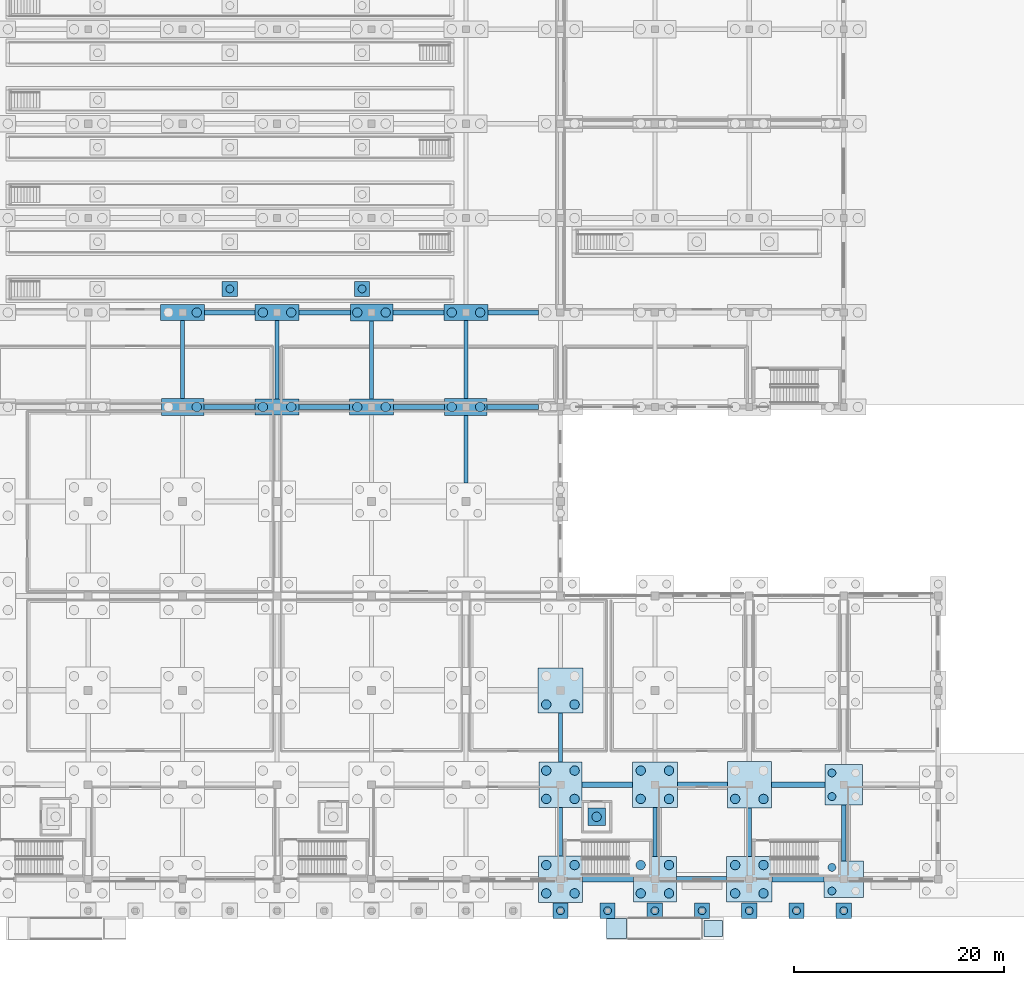
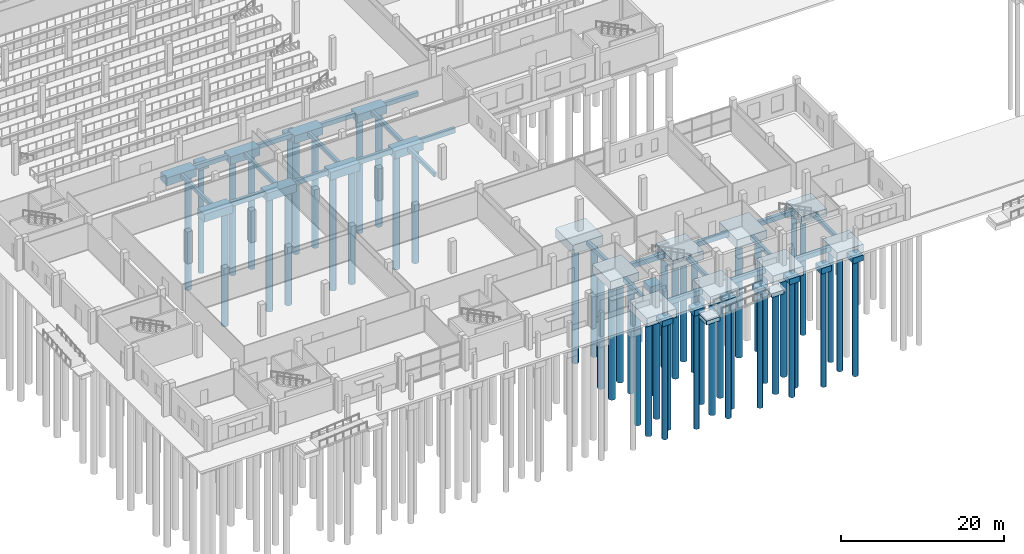
# One storey, part 4 of 112: 53 footings, 52 piles.
"""IFC4 building model written with IfcOpenShell, lengths in metres."""

from ifc_helpers import new_model, si_unit, direction, frame, origin, origin_2d, place, context, subcontext, project, spatial, polyline, rectangle, circle, outline, extrude, material, material_profile, profile_set, type_object, element, save


model = new_model("IFC4")

# Units and contexts
model_context = context("Model", 3, precision=1e-05, world=origin(), true_north=direction((0.0, 1.0)))
body_context = subcontext(model_context, "Body", "Model", "MODEL_VIEW")
ifc_project = project(units=[si_unit("LENGTHUNIT", "METRE"), si_unit("AREAUNIT", "SQUARE_METRE"), si_unit("VOLUMEUNIT", "CUBIC_METRE"), si_unit("PLANEANGLEUNIT", "RADIAN"), si_unit("MASSUNIT", "GRAM", prefix="KILO")], contexts=[model_context])

# Site, building, storey
site_placement = place(None, origin())
site = spatial("IfcSite", under=ifc_project, at=site_placement, CompositionType="ELEMENT")
building_placement = place(site_placement, origin())
building = spatial("IfcBuilding", under=site, at=building_placement, Name="Tharagai Park Tramway Depot", CompositionType="ELEMENT")
storey_placement = place(building_placement, origin())
storey = spatial("IfcBuildingStorey", under=building, at=storey_placement, Name="L00", CompositionType="ELEMENT", Elevation=0.0)

# Piles
ifc_material = material(Name="Concrete M40", Category="concrete")
ifc_material_profile_1 = material_profile(ifc_material, circle(Radius=0.449951171875, at=origin_2d()), Name="PILE D900")
ifc_profile_set_1 = profile_set([ifc_material_profile_1], Name="Concrete M40")
pile_type_1 = type_object("IfcPileType", Name="BP-01", PredefinedType="BORED", material=ifc_profile_set_1)
pile_1_placement = place(storey_placement, frame((28.35009765625, 45.0, -1.3798828125), z_axis=(0.0, 0.0, -1.0), x_axis=(1.0, 0.0, 0.0)))
element("IfcPile", 1, at=pile_1_placement, inside=storey, type_object=pile_type_1, Name="Bored Pile BP-01 (27,45) #2", PredefinedType="BORED", context=body_context, shape_type="SweptSolid", body=[
    extrude(circle(Radius=0.449951171875, at=origin_2d()), origin(), (0.0, 0.0, 1.0), 17.1201171875),
])
for number, where, z_axis, x_axis, name in (
    (2, (28.35009765625, 54.0, -1.39990234375), (0.0, 0.0, -1.0), (1.0, 0.0, 0.0), "Bored Pile BP-01 (27,54) #2"),
    (3, (34.64990234375, 45.0, -1.39990234375), (0.0, 0.0, -1.0), (1.0, 0.0, 0.0), "Bored Pile BP-01 (36,45) #1"),
    (4, (37.35009765625, 45.0, -1.39990234375), (0.0, 0.0, -1.0), (1.0, 0.0, 0.0), "Bored Pile BP-01 (36,45) #2"),
    (5, (34.64990234375, 54.0, -1.39990234375), (0.0, 0.0, -1.0), (1.0, 0.0, 0.0), "Bored Pile BP-01 (36,54) #1"),
    (6, (37.35009765625, 54.0, -1.39990234375), (0.0, 0.0, -1.0), (1.0, 0.0, 0.0), "Bored Pile BP-01 (36,54) #2"),
    (7, (43.64990234375, 45.0, -1.39990234375), (0.0, 0.0, -1.0), (1.0, 0.0, 0.0), "Bored Pile BP-01 (45,45) #1"),
    (8, (46.35009765625, 45.0, -1.39990234375), (0.0, 0.0, -1.0), (1.0, 0.0, 0.0), "Bored Pile BP-01 (45,45) #2"),
):
    element("IfcPile", number, at=place(storey_placement, frame(where, z_axis=z_axis, x_axis=x_axis)), inside=storey, type_object=pile_type_1, Name=name, PredefinedType="BORED", context=body_context, shape_type="SweptSolid", body=[
        extrude(circle(Radius=0.449951171875, at=origin_2d()), origin(), (0.0, 0.0, 1.0), 17.10009765625),
    ])
for number, where, z_axis, x_axis, name in (
    (9, (43.64990234375, 54.0, -1.3798828125), (0.0, 0.0, -1.0), (1.0, 0.0, 0.0), "Bored Pile BP-01 (45,54) #1"),
    (10, (46.35009765625, 54.0, -1.3798828125), (0.0, 0.0, -1.0), (1.0, 0.0, 0.0), "Bored Pile BP-01 (45,54) #2"),
    (11, (52.64990234375, 45.0, -1.3798828125), (0.0, 0.0, -1.0), (1.0, 0.0, 0.0), "Bored Pile BP-01 (54,45) #1"),
    (12, (55.35009765625, 45.0, -1.3798828125), (0.0, 0.0, -1.0), (1.0, 0.0, 0.0), "Bored Pile BP-01 (54,45) #2"),
):
    element("IfcPile", number, at=place(storey_placement, frame(where, z_axis=z_axis, x_axis=x_axis)), inside=storey, type_object=pile_type_1, Name=name, PredefinedType="BORED", context=body_context, shape_type="SweptSolid", body=[
        extrude(circle(Radius=0.449951171875, at=origin_2d()), origin(), (0.0, 0.0, 1.0), 17.1201171875),
    ])
for number, where, z_axis, x_axis, name in (
    (13, (52.64990234375, 54.0, -1.39990234375), (0.0, 0.0, -1.0), (1.0, 0.0, 0.0), "Bored Pile BP-01 (54,54) #1"),
    (14, (55.35009765625, 54.0, -1.39990234375), (0.0, 0.0, -1.0), (1.0, 0.0, 0.0), "Bored Pile BP-01 (54,54) #2"),
):
    element("IfcPile", number, at=place(storey_placement, frame(where, z_axis=z_axis, x_axis=x_axis)), inside=storey, type_object=pile_type_1, Name=name, PredefinedType="BORED", context=body_context, shape_type="SweptSolid", body=[
        extrude(circle(Radius=0.449951171875, at=origin_2d()), origin(), (0.0, 0.0, 1.0), 17.10009765625),
    ])
for number, where, z_axis, x_axis, name in (
    (15, (61.64990234375, -1.35009765625, -1.5), (0.0, 0.0, -1.0), (1.0, 0.0, 0.0), "Bored Pile BP-01 (63,0) #1"),
    (16, (64.35009765625, -1.35009765625, -1.5), (0.0, 0.0, -1.0), (1.0, 0.0, 0.0), "Bored Pile BP-01 (63,0) #2"),
    (17, (61.64990234375, 1.35009765625, -1.5), (0.0, 0.0, -1.0), (1.0, 0.0, 0.0), "Bored Pile BP-01 (63,0) #3"),
    (18, (64.35009765625, 1.35009765625, -1.5), (0.0, 0.0, -1.0), (1.0, 0.0, 0.0), "Bored Pile BP-01 (63,0) #4"),
):
    element("IfcPile", number, at=place(storey_placement, frame(where, z_axis=z_axis, x_axis=x_axis)), inside=storey, type_object=pile_type_1, Name=name, PredefinedType="BORED", context=body_context, shape_type="SweptSolid", body=[
        extrude(circle(Radius=0.449951171875, at=origin_2d()), origin(), (0.0, 0.0, 1.0), 17.0),
    ])
for number, where, z_axis, x_axis, name in (
    (19, (61.64990234375, 7.64990234375, -1.47998046875), (0.0, 0.0, -1.0), (1.0, 0.0, 0.0), "Bored Pile BP-01 (63,9) #1"),
    (20, (64.35009765625, 7.64990234375, -1.47998046875), (0.0, 0.0, -1.0), (1.0, 0.0, 0.0), "Bored Pile BP-01 (63,9) #2"),
    (21, (61.64990234375, 10.35009765625, -1.47998046875), (0.0, 0.0, -1.0), (1.0, 0.0, 0.0), "Bored Pile BP-01 (63,9) #3"),
    (22, (64.35009765625, 10.35009765625, -1.47998046875), (0.0, 0.0, -1.0), (1.0, 0.0, 0.0), "Bored Pile BP-01 (63,9) #4"),
):
    element("IfcPile", number, at=place(storey_placement, frame(where, z_axis=z_axis, x_axis=x_axis)), inside=storey, type_object=pile_type_1, Name=name, PredefinedType="BORED", context=body_context, shape_type="SweptSolid", body=[
        extrude(circle(Radius=0.449951171875, at=origin_2d()), origin(), (0.0, 0.0, 1.0), 17.02001953125),
    ])
for number, where, z_axis, x_axis, name in (
    (23, (61.64990234375, 16.64990234375, -1.550048828125), (0.0, 0.0, -1.0), (1.0, 0.0, 0.0), "Bored Pile BP-01 (63,18) #1"),
    (24, (64.35009765625, 16.64990234375, -1.550048828125), (0.0, 0.0, -1.0), (1.0, 0.0, 0.0), "Bored Pile BP-01 (63,18) #2"),
):
    element("IfcPile", number, at=place(storey_placement, frame(where, z_axis=z_axis, x_axis=x_axis)), inside=storey, type_object=pile_type_1, Name=name, PredefinedType="BORED", context=body_context, shape_type="SweptSolid", body=[
        extrude(circle(Radius=0.449951171875, at=origin_2d()), origin(), (0.0, 0.0, 1.0), 16.949951171875),
    ])
for number, where, z_axis, x_axis, name in (
    (25, (70.64990234375, -1.35009765625, -1.47998046875), (0.0, 0.0, -1.0), (1.0, 0.0, 0.0), "Bored Pile BP-01 (72,0) #1"),
    (26, (73.35009765625, -1.35009765625, -1.47998046875), (0.0, 0.0, -1.0), (1.0, 0.0, 0.0), "Bored Pile BP-01 (72,0) #2"),
    (27, (70.64990234375, 1.35009765625, -1.47998046875), (0.0, 0.0, -1.0), (1.0, 0.0, 0.0), "Bored Pile BP-01 (72,0) #3"),
    (28, (73.35009765625, 1.35009765625, -1.47998046875), (0.0, 0.0, -1.0), (1.0, 0.0, 0.0), "Bored Pile BP-01 (72,0) #4"),
):
    element("IfcPile", number, at=place(storey_placement, frame(where, z_axis=z_axis, x_axis=x_axis)), inside=storey, type_object=pile_type_1, Name=name, PredefinedType="BORED", context=body_context, shape_type="SweptSolid", body=[
        extrude(circle(Radius=0.449951171875, at=origin_2d()), origin(), (0.0, 0.0, 1.0), 17.02001953125),
    ])
for number, where, z_axis, x_axis, name in (
    (29, (70.64990234375, 7.64990234375, -1.550048828125), (0.0, 0.0, -1.0), (1.0, 0.0, 0.0), "Bored Pile BP-01 (72,9) #1"),
    (30, (73.35009765625, 7.64990234375, -1.550048828125), (0.0, 0.0, -1.0), (1.0, 0.0, 0.0), "Bored Pile BP-01 (72,9) #2"),
    (31, (70.64990234375, 10.35009765625, -1.550048828125), (0.0, 0.0, -1.0), (1.0, 0.0, 0.0), "Bored Pile BP-01 (72,9) #3"),
    (32, (73.35009765625, 10.35009765625, -1.550048828125), (0.0, 0.0, -1.0), (1.0, 0.0, 0.0), "Bored Pile BP-01 (72,9) #4"),
    (33, (79.64990234375, -1.35009765625, -1.550048828125), (0.0, 0.0, -1.0), (1.0, 0.0, 0.0), "Bored Pile BP-01 (81,0) #1"),
    (34, (82.35009765625, -1.35009765625, -1.550048828125), (0.0, 0.0, -1.0), (1.0, 0.0, 0.0), "Bored Pile BP-01 (81,0) #2"),
    (35, (79.64990234375, 1.35009765625, -1.550048828125), (0.0, 0.0, -1.0), (1.0, 0.0, 0.0), "Bored Pile BP-01 (81,0) #3"),
    (36, (82.35009765625, 1.35009765625, -1.550048828125), (0.0, 0.0, -1.0), (1.0, 0.0, 0.0), "Bored Pile BP-01 (81,0) #4"),
):
    element("IfcPile", number, at=place(storey_placement, frame(where, z_axis=z_axis, x_axis=x_axis)), inside=storey, type_object=pile_type_1, Name=name, PredefinedType="BORED", context=body_context, shape_type="SweptSolid", body=[
        extrude(circle(Radius=0.449951171875, at=origin_2d()), origin(), (0.0, 0.0, 1.0), 16.949951171875),
    ])
for number, where, z_axis, x_axis, name in (
    (37, (79.64990234375, 7.64990234375, -1.5), (0.0, 0.0, -1.0), (1.0, 0.0, 0.0), "Bored Pile BP-01 (81,9) #1"),
    (38, (82.35009765625, 7.64990234375, -1.5), (0.0, 0.0, -1.0), (1.0, 0.0, 0.0), "Bored Pile BP-01 (81,9) #2"),
):
    element("IfcPile", number, at=place(storey_placement, frame(where, z_axis=z_axis, x_axis=x_axis)), inside=storey, type_object=pile_type_1, Name=name, PredefinedType="BORED", context=body_context, shape_type="SweptSolid", body=[
        extrude(circle(Radius=0.449951171875, at=origin_2d()), origin(), (0.0, 0.0, 1.0), 17.0),
    ])
pile_2_placement = place(storey_placement, frame((66.449951171875, 5.949951171875, -2.60009765625), z_axis=(0.0, 0.0, -1.0), x_axis=(1.0, 0.0, 0.0)))
element("IfcPile", 39, at=pile_2_placement, inside=storey, type_object=pile_type_1, Name="Lift LP-02 Pit Bored Pile", PredefinedType="BORED", context=body_context, shape_type="SweptSolid", body=[
    extrude(circle(Radius=0.449951171875, at=origin_2d()), origin(), (0.0, 0.0, 1.0), 15.89990234375),
])
ifc_material_profile_2 = material_profile(ifc_material, circle(Radius=0.375, at=origin_2d()), Name="PILE D750")
ifc_profile_set_2 = profile_set([ifc_material_profile_2], Name="Concrete M40")
pile_type_2 = type_object("IfcPileType", Name="BP-02", PredefinedType="BORED", material=ifc_profile_set_2)
for number, where, z_axis, x_axis, name in (
    (40, (88.875, -1.125, -1.39990234375), (0.0, 0.0, -1.0), (1.0, 0.0, 0.0), "Bored Pile BP-02 (90,0) #1"),
    (41, (88.875, 1.125, -1.39990234375), (0.0, 0.0, -1.0), (1.0, 0.0, 0.0), "Bored Pile BP-02 (90,0) #3"),
):
    element("IfcPile", number, at=place(storey_placement, frame(where, z_axis=z_axis, x_axis=x_axis)), inside=storey, type_object=pile_type_2, Name=name, PredefinedType="BORED", context=body_context, shape_type="SweptSolid", body=[
        extrude(circle(Radius=0.375, at=origin_2d()), origin(), (0.0, 0.0, 1.0), 17.10009765625),
    ])
for number, where, z_axis, x_axis, name in (
    (42, (88.875, 7.875, -1.320068359375), (0.0, 0.0, -1.0), (1.0, 0.0, 0.0), "Bored Pile BP-02 (90,9) #1"),
    (43, (88.875, 10.125, -1.320068359375), (0.0, 0.0, -1.0), (1.0, 0.0, 0.0), "Bored Pile BP-02 (90,9) #3"),
):
    element("IfcPile", number, at=place(storey_placement, frame(where, z_axis=z_axis, x_axis=x_axis)), inside=storey, type_object=pile_type_2, Name=name, PredefinedType="BORED", context=body_context, shape_type="SweptSolid", body=[
        extrude(circle(Radius=0.375, at=origin_2d()), origin(), (0.0, 0.0, 1.0), 17.179931640625),
    ])
for number, where, z_axis, x_axis, name in (
    (44, (31.5, 56.25, -2.60009765625), (0.0, 0.0, -1.0), (1.0, 0.0, 0.0), "Inspection Pit Track 1 Bored Pile 2"),
    (45, (44.10009765625, 56.25, -2.60009765625), (0.0, 0.0, -1.0), (1.0, 0.0, 0.0), "Inspection Pit Track 1 Bored Pile 3"),
):
    element("IfcPile", number, at=place(storey_placement, frame(where, z_axis=z_axis, x_axis=x_axis)), inside=storey, type_object=pile_type_2, Name=name, PredefinedType="BORED", context=body_context, shape_type="SweptSolid", body=[
        extrude(circle(Radius=0.375, at=origin_2d()), origin(), (0.0, 0.0, 1.0), 15.89990234375),
    ])
for number, where, z_axis, x_axis, name in (
    (46, (63.0, -3.0, -1.06005859375), (0.0, 0.0, -1.0), (1.0, 0.0, 0.0), "Park Cloister Pier Bored Pile BP-02"),
    (47, (67.5, -3.0, -1.06005859375), (0.0, 0.0, -1.0), (1.0, 0.0, 0.0), "Park Cloister Pier Bored Pile BP-02"),
    (48, (72.0, -3.0, -1.06005859375), (0.0, 0.0, -1.0), (1.0, 0.0, 0.0), "Park Cloister Pier Bored Pile BP-02"),
    (49, (76.5, -3.0, -1.06005859375), (0.0, 0.0, -1.0), (1.0, 0.0, 0.0), "Park Cloister Pier Bored Pile BP-02"),
    (50, (81.0, -3.0, -1.06005859375), (0.0, 0.0, -1.0), (1.0, 0.0, 0.0), "Park Cloister Pier Bored Pile BP-02"),
    (51, (85.5, -3.0, -1.06005859375), (0.0, 0.0, -1.0), (1.0, 0.0, 0.0), "Park Cloister Pier Bored Pile BP-02"),
    (52, (90.0, -3.0, -1.06005859375), (0.0, 0.0, -1.0), (1.0, 0.0, 0.0), "Park Cloister Pier Bored Pile BP-02"),
):
    element("IfcPile", number, at=place(storey_placement, frame(where, z_axis=z_axis, x_axis=x_axis)), inside=storey, type_object=pile_type_2, Name=name, PredefinedType="BORED", context=body_context, shape_type="SweptSolid", body=[
        extrude(circle(Radius=0.375, at=origin_2d()), origin(), (0.0, 0.0, 1.0), 17.43994140625),
    ])

# Footings
footing_type_1 = type_object("IfcFootingType", Name="GB-01", PredefinedType="FOOTING_BEAM", material=ifc_material)
footing_1_placement = place(storey_placement, frame((0.0, 0.0, -0.949951171875)))
element("IfcFooting", 53, at=footing_1_placement, inside=storey, type_object=footing_type_1, Name="Ground Tie Beam GB-01", PredefinedType="FOOTING_BEAM", context=body_context, shape_type="SweptSolid", body=[
    extrude(outline(polyline([(29.10009765625, 53.77490234375), (33.89990234375, 53.77490234375), (33.89990234375, 54.22509765625), (29.10009765625, 54.22509765625), (29.10009765625, 53.77490234375)])), origin(), (0.0, 0.0, 1.0), 0.64990234375),
])
footing_2_placement = place(storey_placement, frame((0.0, 0.0, -0.949951171875)))
element("IfcFooting", 54, at=footing_2_placement, inside=storey, type_object=footing_type_1, Name="Ground Tie Beam GB-01", PredefinedType="FOOTING_BEAM", context=body_context, shape_type="SweptSolid", body=[
    extrude(outline(polyline([(38.10009765625, 53.77490234375), (42.97509765625, 53.77490234375), (42.97509765625, 54.22509765625), (38.10009765625, 54.22509765625), (38.10009765625, 53.77490234375)])), origin(), (0.0, 0.0, 1.0), 0.64990234375),
])
footing_3_placement = place(storey_placement, frame((0.0, 0.0, -0.949951171875)))
element("IfcFooting", 55, at=footing_3_placement, inside=storey, type_object=footing_type_1, Name="Ground Tie Beam GB-01", PredefinedType="FOOTING_BEAM", context=body_context, shape_type="SweptSolid", body=[
    extrude(outline(polyline([(47.02490234375, 53.77490234375), (51.89990234375, 53.77490234375), (51.89990234375, 54.22509765625), (47.02490234375, 54.22509765625), (47.02490234375, 53.77490234375)])), origin(), (0.0, 0.0, 1.0), 0.64990234375),
])
footing_4_placement = place(storey_placement, frame((0.0, 0.0, -0.949951171875)))
element("IfcFooting", 56, at=footing_4_placement, inside=storey, type_object=footing_type_1, Name="Ground Tie Beam GB-01", PredefinedType="FOOTING_BEAM", context=body_context, shape_type="SweptSolid", body=[
    extrude(outline(polyline([(56.10009765625, 53.77490234375), (60.89990234375, 53.77490234375), (60.89990234375, 54.22509765625), (56.10009765625, 54.22509765625), (56.10009765625, 53.77490234375)])), origin(), (0.0, 0.0, 1.0), 0.64990234375),
])
footing_type_2 = type_object("IfcFootingType", Name="GB-02", PredefinedType="FOOTING_BEAM", material=ifc_material)
footing_5_placement = place(storey_placement, frame((0.0, 0.0, -1.0)))
element("IfcFooting", 57, at=footing_5_placement, inside=storey, type_object=footing_type_2, Name="Ground Tie Beam GB-02", PredefinedType="FOOTING_BEAM", context=body_context, shape_type="SweptSolid", body=[
    extrude(outline(polyline([(65.10009765625, -0.25), (69.949951171875, -0.25), (69.949951171875, 0.25), (65.10009765625, 0.25), (65.10009765625, -0.25)])), origin(), (0.0, 0.0, 1.0), 0.699951171875),
])
footing_6_placement = place(storey_placement, frame((0.0, 0.0, -1.0)))
element("IfcFooting", 58, at=footing_6_placement, inside=storey, type_object=footing_type_2, Name="Ground Tie Beam GB-02", PredefinedType="FOOTING_BEAM", context=body_context, shape_type="SweptSolid", body=[
    extrude(outline(polyline([(74.050048828125, -0.25), (78.85009765625, -0.25), (78.85009765625, 0.25), (74.050048828125, 0.25), (74.050048828125, -0.25)])), origin(), (0.0, 0.0, 1.0), 0.699951171875),
])
footing_7_placement = place(storey_placement, frame((0.0, 0.0, -1.0)))
element("IfcFooting", 59, at=footing_7_placement, inside=storey, type_object=footing_type_2, Name="Ground Tie Beam GB-02", PredefinedType="FOOTING_BEAM", context=body_context, shape_type="SweptSolid", body=[
    extrude(outline(polyline([(83.14990234375, -0.25), (88.125, -0.25), (88.125, 0.25), (83.14990234375, 0.25), (83.14990234375, -0.25)])), origin(), (0.0, 0.0, 1.0), 0.699951171875),
])
footing_8_placement = place(storey_placement, frame((0.0, 0.0, -1.0)))
element("IfcFooting", 60, at=footing_8_placement, inside=storey, type_object=footing_type_2, Name="Ground Tie Beam GB-02", PredefinedType="FOOTING_BEAM", context=body_context, shape_type="SweptSolid", body=[
    extrude(outline(polyline([(65.050048828125, 8.75), (69.85009765625, 8.75), (69.85009765625, 9.25), (65.050048828125, 9.25), (65.050048828125, 8.75)])), origin(), (0.0, 0.0, 1.0), 0.699951171875),
])
footing_9_placement = place(storey_placement, frame((0.0, 0.0, -1.0)))
element("IfcFooting", 61, at=footing_9_placement, inside=storey, type_object=footing_type_2, Name="Ground Tie Beam GB-02", PredefinedType="FOOTING_BEAM", context=body_context, shape_type="SweptSolid", body=[
    extrude(outline(polyline([(74.14990234375, 8.75), (78.89990234375, 8.75), (78.89990234375, 9.25), (74.14990234375, 9.25), (74.14990234375, 8.75)])), origin(), (0.0, 0.0, 1.0), 0.699951171875),
])
footing_10_placement = place(storey_placement, frame((0.0, 0.0, -1.0)))
element("IfcFooting", 62, at=footing_10_placement, inside=storey, type_object=footing_type_2, Name="Ground Tie Beam GB-02", PredefinedType="FOOTING_BEAM", context=body_context, shape_type="SweptSolid", body=[
    extrude(outline(polyline([(83.10009765625, 8.75), (88.22509765625, 8.75), (88.22509765625, 9.25), (83.10009765625, 9.25), (83.10009765625, 8.75)])), origin(), (0.0, 0.0, 1.0), 0.699951171875),
])
footing_11_placement = place(storey_placement, frame((0.0, 0.0, -1.0)))
element("IfcFooting", 63, at=footing_11_placement, inside=storey, type_object=footing_type_2, Name="Ground Tie Beam GB-02", PredefinedType="FOOTING_BEAM", context=body_context, shape_type="SweptSolid", body=[
    extrude(outline(polyline([(29.02490234375, 44.75), (33.89990234375, 44.75), (33.89990234375, 45.25), (29.02490234375, 45.25), (29.02490234375, 44.75)])), origin(), (0.0, 0.0, 1.0), 0.699951171875),
])
footing_12_placement = place(storey_placement, frame((0.0, 0.0, -1.0)))
element("IfcFooting", 64, at=footing_12_placement, inside=storey, type_object=footing_type_2, Name="Ground Tie Beam GB-02", PredefinedType="FOOTING_BEAM", context=body_context, shape_type="SweptSolid", body=[
    extrude(outline(polyline([(38.10009765625, 44.75), (42.89990234375, 44.75), (42.89990234375, 45.25), (38.10009765625, 45.25), (38.10009765625, 44.75)])), origin(), (0.0, 0.0, 1.0), 0.699951171875),
])
footing_13_placement = place(storey_placement, frame((0.0, 0.0, -1.0)))
element("IfcFooting", 65, at=footing_13_placement, inside=storey, type_object=footing_type_2, Name="Ground Tie Beam GB-02", PredefinedType="FOOTING_BEAM", context=body_context, shape_type="SweptSolid", body=[
    extrude(outline(polyline([(47.10009765625, 44.75), (51.97509765625, 44.75), (51.97509765625, 45.25), (47.10009765625, 45.25), (47.10009765625, 44.75)])), origin(), (0.0, 0.0, 1.0), 0.699951171875),
])
footing_14_placement = place(storey_placement, frame((0.0, 0.0, -1.0)))
element("IfcFooting", 66, at=footing_14_placement, inside=storey, type_object=footing_type_2, Name="Ground Tie Beam GB-02", PredefinedType="FOOTING_BEAM", context=body_context, shape_type="SweptSolid", body=[
    extrude(outline(polyline([(56.02490234375, 44.75), (60.89990234375, 44.75), (60.89990234375, 45.25), (56.02490234375, 45.25), (56.02490234375, 44.75)])), origin(), (0.0, 0.0, 1.0), 0.699951171875),
])
footing_type_3 = type_object("IfcFootingType", Name="GB-04", PredefinedType="FOOTING_BEAM", material=ifc_material)
footing_15_placement = place(storey_placement, frame((0.0, 0.0, -0.89990234375)))
element("IfcFooting", 67, at=footing_15_placement, inside=storey, type_object=footing_type_3, Name="Ground Tie Beam GB-04", PredefinedType="FOOTING_BEAM", context=body_context, shape_type="SweptSolid", body=[
    extrude(outline(polyline([(26.800048828125, 45.824951171875), (27.199951171875, 45.824951171875), (27.199951171875, 53.22509765625), (26.800048828125, 53.22509765625), (26.800048828125, 45.824951171875)])), origin(), (0.0, 0.0, 1.0), 0.599853515625),
])
footing_16_placement = place(storey_placement, frame((0.0, 0.0, -0.89990234375)))
element("IfcFooting", 68, at=footing_16_placement, inside=storey, type_object=footing_type_3, Name="Ground Tie Beam GB-04", PredefinedType="FOOTING_BEAM", context=body_context, shape_type="SweptSolid", body=[
    extrude(outline(polyline([(35.800048828125, 45.77490234375), (36.199951171875, 45.77490234375), (36.199951171875, 53.22509765625), (35.800048828125, 53.22509765625), (35.800048828125, 45.77490234375)])), origin(), (0.0, 0.0, 1.0), 0.599853515625),
])
footing_17_placement = place(storey_placement, frame((0.0, 0.0, -0.89990234375)))
element("IfcFooting", 69, at=footing_17_placement, inside=storey, type_object=footing_type_3, Name="Ground Tie Beam GB-04", PredefinedType="FOOTING_BEAM", context=body_context, shape_type="SweptSolid", body=[
    extrude(outline(polyline([(44.800048828125, 45.77490234375), (45.199951171875, 45.77490234375), (45.199951171875, 53.175048828125), (44.800048828125, 53.175048828125), (44.800048828125, 45.77490234375)])), origin(), (0.0, 0.0, 1.0), 0.599853515625),
])
footing_18_placement = place(storey_placement, frame((0.0, 0.0, -0.89990234375)))
element("IfcFooting", 70, at=footing_18_placement, inside=storey, type_object=footing_type_3, Name="Ground Tie Beam GB-04", PredefinedType="FOOTING_BEAM", context=body_context, shape_type="SweptSolid", body=[
    extrude(outline(polyline([(53.800048828125, 37.75), (54.199951171875, 37.75), (54.199951171875, 44.175048828125), (53.800048828125, 44.175048828125), (53.800048828125, 37.75)])), origin(), (0.0, 0.0, 1.0), 0.599853515625),
])
footing_19_placement = place(storey_placement, frame((0.0, 0.0, -0.89990234375)))
element("IfcFooting", 71, at=footing_19_placement, inside=storey, type_object=footing_type_3, Name="Ground Tie Beam GB-04", PredefinedType="FOOTING_BEAM", context=body_context, shape_type="SweptSolid", body=[
    extrude(outline(polyline([(53.800048828125, 45.824951171875), (54.199951171875, 45.824951171875), (54.199951171875, 53.22509765625), (53.800048828125, 53.22509765625), (53.800048828125, 45.824951171875)])), origin(), (0.0, 0.0, 1.0), 0.599853515625),
])
footing_20_placement = place(storey_placement, frame((0.0, 0.0, -0.89990234375)))
element("IfcFooting", 72, at=footing_20_placement, inside=storey, type_object=footing_type_3, Name="Ground Tie Beam GB-04", PredefinedType="FOOTING_BEAM", context=body_context, shape_type="SweptSolid", body=[
    extrude(outline(polyline([(62.800048828125, 2.22509765625), (63.199951171875, 2.22509765625), (63.199951171875, 6.824951171875), (62.800048828125, 6.824951171875), (62.800048828125, 2.22509765625)])), origin(), (0.0, 0.0, 1.0), 0.599853515625),
])
footing_21_placement = place(storey_placement, frame((0.0, 0.0, -0.89990234375)))
element("IfcFooting", 73, at=footing_21_placement, inside=storey, type_object=footing_type_3, Name="Ground Tie Beam GB-04", PredefinedType="FOOTING_BEAM", context=body_context, shape_type="SweptSolid", body=[
    extrude(outline(polyline([(62.800048828125, 11.175048828125), (63.199951171875, 11.175048828125), (63.199951171875, 15.85009765625), (62.800048828125, 15.85009765625), (62.800048828125, 11.175048828125)])), origin(), (0.0, 0.0, 1.0), 0.599853515625),
])
footing_22_placement = place(storey_placement, frame((0.0, 0.0, -0.89990234375)))
element("IfcFooting", 74, at=footing_22_placement, inside=storey, type_object=footing_type_3, Name="Ground Tie Beam GB-04", PredefinedType="FOOTING_BEAM", context=body_context, shape_type="SweptSolid", body=[
    extrude(outline(polyline([(71.800048828125, 2.175048828125), (72.199951171875, 2.175048828125), (72.199951171875, 6.85009765625), (71.800048828125, 6.85009765625), (71.800048828125, 2.175048828125)])), origin(), (0.0, 0.0, 1.0), 0.599853515625),
])
footing_23_placement = place(storey_placement, frame((0.0, 0.0, -0.89990234375)))
element("IfcFooting", 75, at=footing_23_placement, inside=storey, type_object=footing_type_3, Name="Ground Tie Beam GB-04", PredefinedType="FOOTING_BEAM", context=body_context, shape_type="SweptSolid", body=[
    extrude(outline(polyline([(80.800048828125, 2.14990234375), (81.199951171875, 2.14990234375), (81.199951171875, 6.77490234375), (80.800048828125, 6.77490234375), (80.800048828125, 2.14990234375)])), origin(), (0.0, 0.0, 1.0), 0.599853515625),
])
footing_24_placement = place(storey_placement, frame((0.0, 0.0, -0.89990234375)))
element("IfcFooting", 76, at=footing_24_placement, inside=storey, type_object=footing_type_3, Name="Ground Tie Beam GB-04", PredefinedType="FOOTING_BEAM", context=body_context, shape_type="SweptSolid", body=[
    extrude(outline(polyline([(89.800048828125, 1.75), (90.199951171875, 1.75), (90.199951171875, 7.074951171875), (89.800048828125, 7.074951171875), (89.800048828125, 1.75)])), origin(), (0.0, 0.0, 1.0), 0.599853515625),
])
footing_type_4 = type_object("IfcFootingType", Name="PC-01", PredefinedType="PILE_CAP", material=ifc_material)
for number, where, z_axis, x_axis, name in (
    (77, (63.0, 0.0, -1.60009765625), (0.0, 0.0, 1.0), (1.0, 0.0, 0.0), "Pile Cap PC-01 (63,0)"),
    (78, (81.0, 9.0, -1.60009765625), (0.0, 0.0, 1.0), (1.0, 0.0, 0.0), "Pile Cap PC-01 (81,9)"),
):
    element("IfcFooting", number, at=place(storey_placement, frame(where, z_axis=z_axis, x_axis=x_axis)), inside=storey, type_object=footing_type_4, Name=name, PredefinedType="PILE_CAP", context=body_context, shape_type="SweptSolid", body=[
        extrude(rectangle(XDim=4.199951171875, YDim=4.449951171875, at=origin_2d()), origin(), (0.0, 0.0, 1.0), 1.300048828125),
    ])
footing_type_5 = type_object("IfcFootingType", Name="PC-04", PredefinedType="PILE_CAP", material=ifc_material)
for number, where, z_axis, x_axis, name in (
    (79, (63.0, 9.0, -1.580078125), (0.0, 0.0, 1.0), (1.0, 0.0, 0.0), "Pile Cap PC-04 (63,9)"),
    (80, (72.0, 0.0, -1.580078125), (0.0, 0.0, 1.0), (1.0, 0.0, 0.0), "Pile Cap PC-04 (72,0)"),
):
    element("IfcFooting", number, at=place(storey_placement, frame(where, z_axis=z_axis, x_axis=x_axis)), inside=storey, type_object=footing_type_5, Name=name, PredefinedType="PILE_CAP", context=body_context, shape_type="SweptSolid", body=[
        extrude(rectangle(XDim=4.10009765625, YDim=4.35009765625, at=origin_2d()), origin(), (0.0, 0.0, 1.0), 1.280029296875),
    ])
footing_type_6 = type_object("IfcFootingType", Name="PC-05", PredefinedType="PILE_CAP", material=ifc_material)
for number, where, z_axis, x_axis, name in (
    (81, (63.0, 18.0, -1.650146484375), (0.0, 0.0, 1.0), (1.0, 0.0, 0.0), "Pile Cap PC-05 (63,18)"),
    (82, (72.0, 9.0, -1.650146484375), (0.0, 0.0, 1.0), (1.0, 0.0, 0.0), "Pile Cap PC-05 (72,9)"),
    (83, (81.0, 0.0, -1.650146484375), (0.0, 0.0, 1.0), (1.0, 0.0, 0.0), "Pile Cap PC-05 (81,0)"),
):
    element("IfcFooting", number, at=place(storey_placement, frame(where, z_axis=z_axis, x_axis=x_axis)), inside=storey, type_object=footing_type_6, Name=name, PredefinedType="PILE_CAP", context=body_context, shape_type="SweptSolid", body=[
        extrude(rectangle(XDim=4.300048828125, YDim=4.300048828125, at=origin_2d()), origin(), (0.0, 0.0, 1.0), 1.35009765625),
    ])
footing_type_7 = type_object("IfcFootingType", Name="PC-07", PredefinedType="PILE_CAP", material=ifc_material)
footing_25_placement = place(storey_placement, frame((90.0, 0.0, -1.5), z_axis=(0.0, 0.0, 1.0), x_axis=(1.0, 0.0, 0.0)))
element("IfcFooting", 84, at=footing_25_placement, inside=storey, type_object=footing_type_7, Name="Pile Cap PC-07 (90,0)", PredefinedType="PILE_CAP", context=body_context, shape_type="SweptSolid", body=[
    extrude(rectangle(XDim=3.75, YDim=3.5, at=origin_2d()), origin(), (0.0, 0.0, 1.0), 1.199951171875),
])
footing_type_8 = type_object("IfcFootingType", Name="PC-09", PredefinedType="PILE_CAP", material=ifc_material)
footing_26_placement = place(storey_placement, frame((90.0, 9.0, -1.420166015625), z_axis=(0.0, 0.0, 1.0), x_axis=(1.0, 0.0, 0.0)))
element("IfcFooting", 85, at=footing_26_placement, inside=storey, type_object=footing_type_8, Name="Pile Cap PC-09 (90,9)", PredefinedType="PILE_CAP", context=body_context, shape_type="SweptSolid", body=[
    extrude(rectangle(XDim=3.550048828125, YDim=3.85009765625, at=origin_2d()), origin(), (0.0, 0.0, 1.0), 1.1201171875),
])
footing_type_9 = type_object("IfcFootingType", Name="PC-10", PredefinedType="PILE_CAP", material=ifc_material)
for number, where, z_axis, x_axis, name in (
    (86, (31.5, 56.25, -2.699951171875), (0.0, 0.0, 1.0), (1.0, 0.0, 0.0), "Inspection Pit Track 1 Pile Cap 2"),
    (87, (44.10009765625, 56.25, -2.699951171875), (0.0, 0.0, 1.0), (1.0, 0.0, 0.0), "Inspection Pit Track 1 Pile Cap 3"),
    (88, (63.0, -3.0, -1.16015625), (0.0, 0.0, 1.0), (1.0, 0.0, 0.0), "Park Cloister Pier Pile Cap PC-10"),
    (89, (67.5, -3.0, -1.16015625), (0.0, 0.0, 1.0), (1.0, 0.0, 0.0), "Park Cloister Pier Pile Cap PC-10"),
    (90, (72.0, -3.0, -1.16015625), (0.0, 0.0, 1.0), (1.0, 0.0, 0.0), "Park Cloister Pier Pile Cap PC-10"),
    (91, (76.5, -3.0, -1.16015625), (0.0, 0.0, 1.0), (1.0, 0.0, 0.0), "Park Cloister Pier Pile Cap PC-10"),
    (92, (81.0, -3.0, -1.16015625), (0.0, 0.0, 1.0), (1.0, 0.0, 0.0), "Park Cloister Pier Pile Cap PC-10"),
    (93, (85.5, -3.0, -1.16015625), (0.0, 0.0, 1.0), (1.0, 0.0, 0.0), "Park Cloister Pier Pile Cap PC-10"),
    (94, (90.0, -3.0, -1.16015625), (0.0, 0.0, 1.0), (1.0, 0.0, 0.0), "Park Cloister Pier Pile Cap PC-10"),
):
    element("IfcFooting", number, at=place(storey_placement, frame(where, z_axis=z_axis, x_axis=x_axis)), inside=storey, type_object=footing_type_9, Name=name, PredefinedType="PILE_CAP", context=body_context, shape_type="SweptSolid", body=[
        extrude(rectangle(XDim=1.449951171875, YDim=1.449951171875, at=origin_2d()), origin(), (0.0, 0.0, 1.0), 0.85009765625),
    ])
footing_type_10 = type_object("IfcFootingType", Name="PC-13", PredefinedType="PILE_CAP", material=ifc_material)
for number, where, z_axis, x_axis, name in (
    (95, (27.0, 45.0, -1.47998046875), (0.0, 0.0, 1.0), (1.0, 0.0, 0.0), "Pile Cap PC-13 (27,45)"),
    (96, (45.0, 54.0, -1.47998046875), (0.0, 0.0, 1.0), (1.0, 0.0, 0.0), "Pile Cap PC-13 (45,54)"),
    (97, (54.0, 45.0, -1.47998046875), (0.0, 0.0, 1.0), (1.0, 0.0, 0.0), "Pile Cap PC-13 (54,45)"),
):
    element("IfcFooting", number, at=place(storey_placement, frame(where, z_axis=z_axis, x_axis=x_axis)), inside=storey, type_object=footing_type_10, Name=name, PredefinedType="PILE_CAP", context=body_context, shape_type="SweptSolid", body=[
        extrude(rectangle(XDim=4.050048828125, YDim=1.64990234375, at=origin_2d()), origin(), (0.0, 0.0, 1.0), 1.179931640625),
    ])
footing_type_11 = type_object("IfcFootingType", Name="PC-15", PredefinedType="PILE_CAP", material=ifc_material)
for number, where, z_axis, x_axis, name in (
    (98, (27.0, 54.0, -1.5), (0.0, 0.0, 1.0), (1.0, 0.0, 0.0), "Pile Cap PC-15 (27,54)"),
    (99, (36.0, 45.0, -1.5), (0.0, 0.0, 1.0), (1.0, 0.0, 0.0), "Pile Cap PC-15 (36,45)"),
    (100, (36.0, 54.0, -1.5), (0.0, 0.0, 1.0), (1.0, 0.0, 0.0), "Pile Cap PC-15 (36,54)"),
    (101, (45.0, 45.0, -1.5), (0.0, 0.0, 1.0), (1.0, 0.0, 0.0), "Pile Cap PC-15 (45,45)"),
    (102, (54.0, 54.0, -1.5), (0.0, 0.0, 1.0), (1.0, 0.0, 0.0), "Pile Cap PC-15 (54,54)"),
):
    element("IfcFooting", number, at=place(storey_placement, frame(where, z_axis=z_axis, x_axis=x_axis)), inside=storey, type_object=footing_type_11, Name=name, PredefinedType="PILE_CAP", context=body_context, shape_type="SweptSolid", body=[
        extrude(rectangle(XDim=4.199951171875, YDim=1.550048828125, at=origin_2d()), origin(), (0.0, 0.0, 1.0), 1.199951171875),
    ])
footing_type_12 = type_object("IfcFootingType", Name="PC-16", PredefinedType="PILE_CAP", material=ifc_material)
footing_27_placement = place(storey_placement, frame((66.449951171875, 5.949951171875, -2.7001953125), z_axis=(0.0, 0.0, 1.0), x_axis=(1.0, 0.0, 0.0)))
element("IfcFooting", 103, at=footing_27_placement, inside=storey, type_object=footing_type_12, Name="Lift LP-02 Pit Pile Cap", PredefinedType="PILE_CAP", context=body_context, shape_type="SweptSolid", body=[
    extrude(rectangle(XDim=1.64990234375, YDim=1.64990234375, at=origin_2d()), origin(), (0.0, 0.0, 1.0), 0.949951171875),
])
footing_type_13 = type_object("IfcFootingType", Name="PF-07", PredefinedType="PAD_FOOTING", material=ifc_material)
footing_28_placement = place(storey_placement, frame((77.56005859375, -4.699951171875, -0.77001953125), z_axis=(0.0, 0.0, 1.0), x_axis=(1.0, 0.0, 0.0)))
element("IfcFooting", 104, at=footing_28_placement, inside=storey, type_object=footing_type_13, Name="Ramp Pad Footing PF-07", PredefinedType="PAD_FOOTING", context=body_context, shape_type="SweptSolid", body=[
    extrude(rectangle(XDim=1.75, YDim=1.550048828125, at=origin_2d()), origin(), (0.0, 0.0, 1.0), 0.580078125),
])
footing_type_14 = type_object("IfcFootingType", Name="PF-08", PredefinedType="PAD_FOOTING", material=ifc_material)
footing_29_placement = place(storey_placement, frame((68.340087890625, -4.699951171875, -1.510009765625), z_axis=(0.0, 0.0, 1.0), x_axis=(1.0, 0.0, 0.0)))
element("IfcFooting", 105, at=footing_29_placement, inside=storey, type_object=footing_type_14, Name="Ramp Pad Footing PF-08", PredefinedType="PAD_FOOTING", context=body_context, shape_type="SweptSolid", body=[
    extrude(rectangle(XDim=1.89990234375, YDim=1.89990234375, at=origin_2d()), origin(), (0.0, 0.0, 1.0), 0.60009765625),
])

save(model, "model.ifc")
